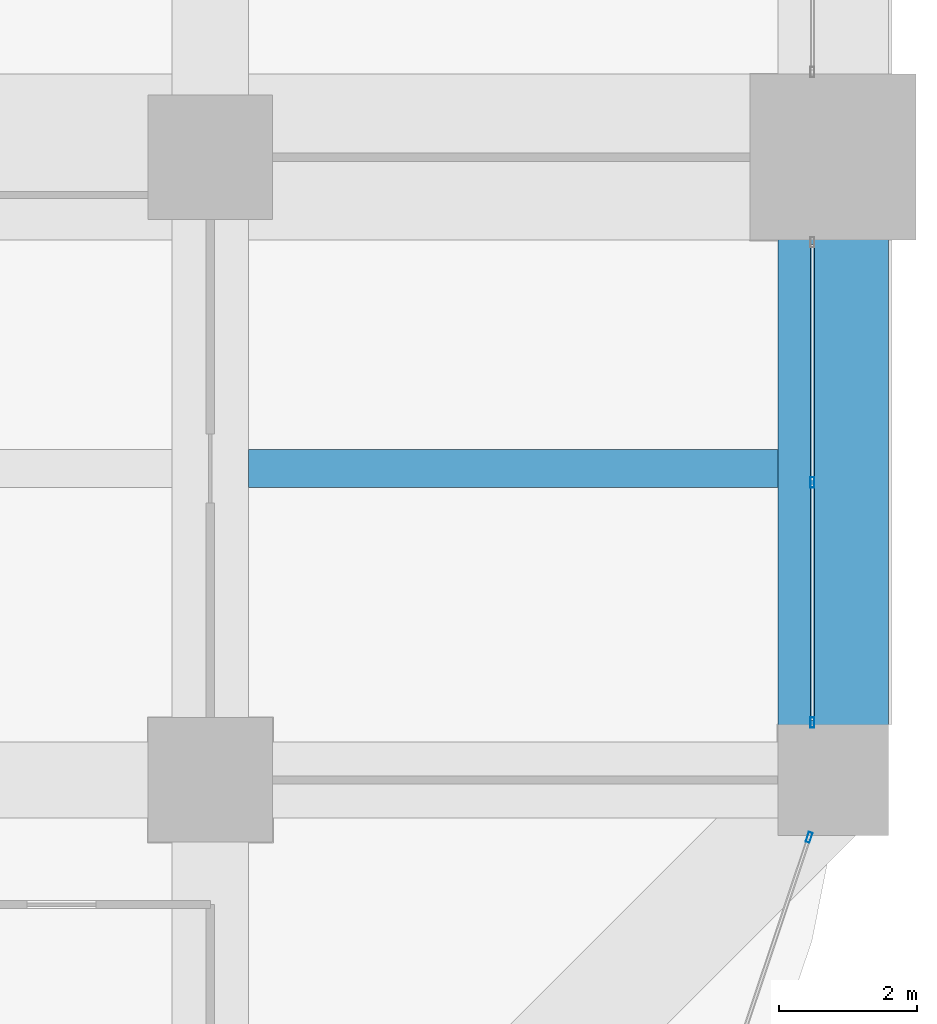
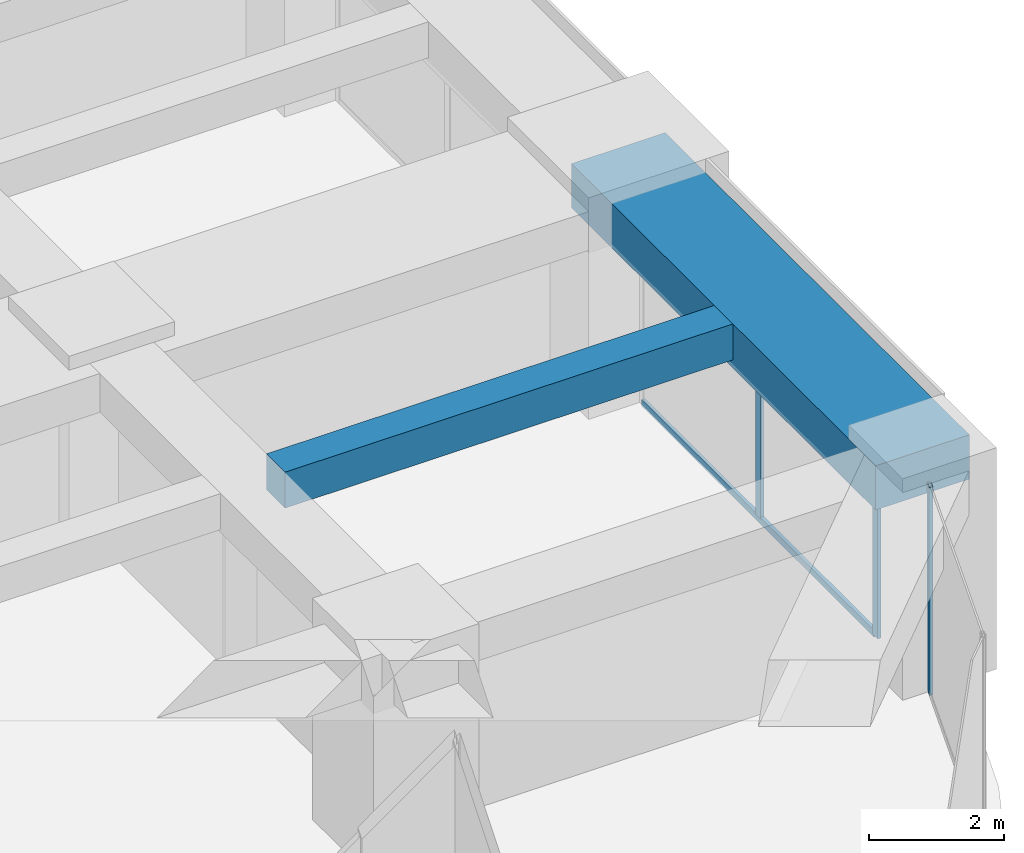
# One storey, part 19 of 43: 4 members, 2 beams, 2 elements without a shape of their own.
"""IFC4 building model written with IfcOpenShell, lengths in metres."""

from ifc_helpers import new_model, si_unit, direction, frame, origin, origin_2d, place, context, subcontext, project, spatial, rectangle, hollow_rectangle, extrude, material, material_profile, profile_set, type_object, element, aggregate, save


model = new_model("IFC4")

# Units and contexts
model_context = context("Model", 3, precision=1e-05, world=origin(), true_north=direction((0.0, 1.0)))
body_context = subcontext(model_context, "Body", "Model", "MODEL_VIEW")
ifc_project = project(units=[si_unit("LENGTHUNIT", "METRE"), si_unit("AREAUNIT", "SQUARE_METRE"), si_unit("VOLUMEUNIT", "CUBIC_METRE"), si_unit("PLANEANGLEUNIT", "RADIAN"), si_unit("MASSUNIT", "GRAM", prefix="KILO")], contexts=[model_context])

# Site, building, storey
site_placement = place(None, origin())
site = spatial("IfcSite", under=ifc_project, at=site_placement, CompositionType="ELEMENT")
building_placement = place(site_placement, origin())
building = spatial("IfcBuilding", under=site, at=building_placement, Name="Zorevar Civic Tower", CompositionType="ELEMENT")
storey_placement = place(building_placement, frame((0.0, 0.0, 141.0)))
storey = spatial("IfcBuildingStorey", under=building, at=storey_placement, Name="L34", CompositionType="ELEMENT", Elevation=141.0)

# Beam
ifc_material_1 = material(Name="Concrete C50/60", Category="concrete")
ifc_material_profile_1 = material_profile(ifc_material_1, rectangle(XDim=0.550048828125, YDim=0.64990234375, at=origin_2d()), Name="RC 550x650")
ifc_profile_set_1 = profile_set([ifc_material_profile_1], Name="Concrete C50/60")
beam_type_1 = type_object("IfcBeamType", Name="Beam RC 550x650", PredefinedType="BEAM", material=ifc_profile_set_1)
beam_1_placement = place(storey_placement, frame((54.550048828125, 13.5, 3.425048828125), z_axis=(1.0, 0.0, 0.0), x_axis=(0.0, 1.0, 0.0)))
element("IfcBeam", 1, at=beam_1_placement, inside=storey, type_object=beam_type_1, Name="Secondary beam L35", PredefinedType="BEAM", context=body_context, shape_type="SweptSolid", body=[
    extrude(rectangle(XDim=0.550048828125, YDim=0.64990234375, at=origin_2d()), origin(), (0.0, 0.0, 1.0), 7.64990234375),
])

# Curtain wall, members
ifc_material_2 = material(Name="Dark grey solar-control glass in black aluminium frame", Category="aluminium")
curtain_wall_type = type_object("IfcCurtainWallType", Name="Curtain wall CW3 mid zone", PredefinedType="NOTDEFINED", material=ifc_material_2)
curtain_wall_1_placement = place(storey_placement, origin())
curtain_wall_1 = element("IfcCurtainWall", 2, at=curtain_wall_1_placement, inside=storey, type_object=curtain_wall_type, Name="CW3 L34", PredefinedType="NOTDEFINED")
ifc_material_3 = material(Name="Aluminium, black anodised", Category="aluminium")
ifc_material_profile_2 = material_profile(ifc_material_3, hollow_rectangle(XDim=0.06005859375, YDim=0.14990234375, WallThickness=0.00390625, at=origin_2d()), Name="AL 150x60x4")
ifc_profile_set_2 = profile_set([ifc_material_profile_2], Name="Aluminium, black anodised")
member_type_1 = type_object("IfcMemberType", Name="CW3 mullion AL 150x60x4", PredefinedType="MULLION", material=ifc_profile_set_2)
member_1_placement = place(storey_placement, frame((62.699951171875, 9.830078125, 0.0), z_axis=(0.0, 0.0, 1.0), x_axis=(-1.0, 0.0, 0.0)))
member_1 = element("IfcMember", 3, at=member_1_placement, type_object=member_type_1, Name="CW3 mullion 1", PredefinedType="MULLION", context=body_context, shape_type="SweptSolid", body=[
    extrude(hollow_rectangle(XDim=0.06005859375, YDim=0.14990234375, WallThickness=0.00390625, at=origin_2d()), origin(), (0.0, 0.0, 1.0), 2.949951171875),
])
member_2_placement = place(storey_placement, frame((62.699951171875, 13.300048828125, 0.06005859375), z_axis=(0.0, 0.0, 1.0), x_axis=(-1.0, 0.0, 0.0)))
member_2 = element("IfcMember", 4, at=member_2_placement, type_object=member_type_1, Name="CW3 mullion 2", PredefinedType="MULLION", context=body_context, shape_type="SweptSolid", body=[
    extrude(hollow_rectangle(XDim=0.06005859375, YDim=0.14990234375, WallThickness=0.00390625, at=origin_2d()), origin(), (0.0, 0.0, 1.0), 2.889892578125),
])

# Curtain wall, member
curtain_wall_2_placement = place(storey_placement, origin())
curtain_wall_2 = element("IfcCurtainWall", 5, at=curtain_wall_2_placement, inside=storey, type_object=curtain_wall_type, Name="CW3 L34", PredefinedType="NOTDEFINED")
member_3_placement = place(storey_placement, frame((62.653564453125, 8.171630859375, 0.0), z_axis=(0.0, 0.0, 1.0), x_axis=(-0.948227238701, 0.317592669603, 0.0)))
member_3 = element("IfcMember", 6, at=member_3_placement, type_object=member_type_1, Name="CW3 mullion 2", PredefinedType="MULLION", context=body_context, shape_type="SweptSolid", body=[
    extrude(hollow_rectangle(XDim=0.06005859375, YDim=0.14990234375, WallThickness=0.00390625, at=origin_2d()), origin(), (0.0, 0.0, 1.0), 3.75),
])
aggregate(curtain_wall_2, [member_3])

# Member
ifc_material_4 = material(Name="Aluminium, black anodised", Category="aluminium")
ifc_material_profile_3 = material_profile(ifc_material_4, hollow_rectangle(XDim=0.06005859375, YDim=0.1201171875, WallThickness=0.0029296875, at=origin_2d()), Name="AL 120x60x3")
ifc_profile_set_3 = profile_set([ifc_material_profile_3], Name="Aluminium, black anodised")
member_type_2 = type_object("IfcMemberType", Name="CW3 transom AL 120x60x3", PredefinedType="USERDEFINED", material=ifc_profile_set_3)
member_4_placement = place(storey_placement, frame((62.699951171875, 9.860107421875, 0.030029296875), z_axis=(0.0, 1.0, 0.0), x_axis=(-1.0, 0.0, 0.0)))
member_4 = element("IfcMember", 7, at=member_4_placement, type_object=member_type_2, Name="CW3 sill transom", ObjectType="TRANSOM", PredefinedType="USERDEFINED", context=body_context, shape_type="SweptSolid", body=[
    extrude(hollow_rectangle(XDim=0.06005859375, YDim=0.1201171875, WallThickness=0.0029296875, at=origin_2d()), origin(), (0.0, 0.0, 1.0), 6.8798828125),
])

aggregate(curtain_wall_1, [member_1, member_2, member_4])

# Beam
ifc_material_5 = material(Name="Concrete C50/60", Category="concrete")
ifc_material_profile_4 = material_profile(ifc_material_5, rectangle(XDim=1.60009765625, YDim=0.800048828125, at=origin_2d()), Name="RC 1600x800")
ifc_profile_set_4 = profile_set([ifc_material_profile_4], Name="Concrete C50/60")
beam_type_2 = type_object("IfcBeamType", Name="Edge beam RC 1600x800", PredefinedType="SPANDREL", material=ifc_profile_set_4)
beam_2_placement = place(storey_placement, frame((63.0, 9.0, 3.35009765625), z_axis=(0.0, 1.0, 0.0), x_axis=(-1.0, 0.0, 0.0)))
element("IfcBeam", 8, at=beam_2_placement, inside=storey, type_object=beam_type_2, Name="Edge beam L35", PredefinedType="SPANDREL", context=body_context, shape_type="SweptSolid", body=[
    extrude(rectangle(XDim=1.60009765625, YDim=0.800048828125, at=origin_2d()), origin(), (0.0, 0.0, 1.0), 9.0),
])

save(model, "model.ifc")
